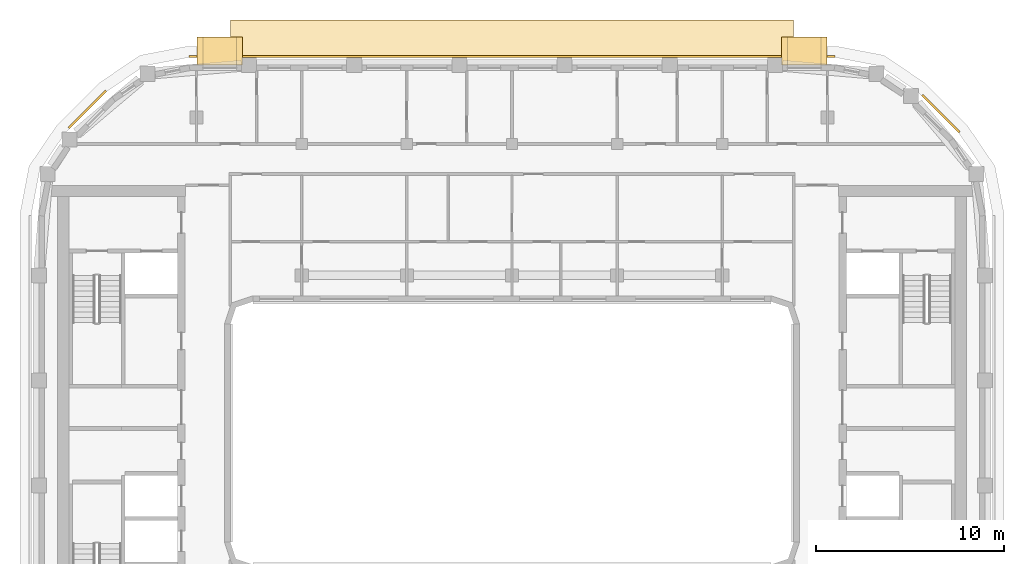
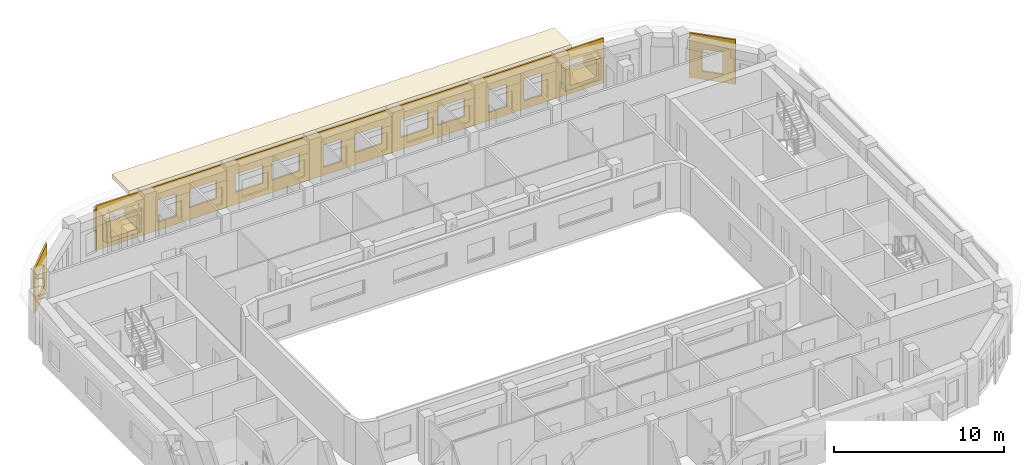
# One storey, part 16 of 16: 8 coverings.
"""IFC4 building model written with IfcOpenShell, lengths in metres."""

import ifcopenshell
import ifcopenshell.guid

model = None  # the IFC model being written
_history = None  # IfcOwnerHistory: only IFC2X3 demands one
_inside = {}  # id of a spatial element -> (the spatial element, [elements in it])
_under = {}  # id of a project, library or spatial element -> (it, [spatial elements below it])
_declared = {}  # id of a project -> (the project, [libraries it declares])
_typed = {}  # id of a type object -> (the type object, [elements of that type])
_made_of = {}  # id of a material, layer set ... -> (it, [elements and type objects made of it])


def new_model(schema):
    """Start an empty IFC model of exactly this schema.

    Asked for "IFC4X3", IfcOpenShell would pick the latest addendum, in which some entities
    have other attributes; the version numbers below select the first issue.
    IFC2X3 requires an IfcOwnerHistory on every rooted entity: one is made here for all.
    """
    global model, _history
    if schema == "IFC4X3":
        model = ifcopenshell.file(schema_version=(4, 3, 0, 0))
    else:
        model = ifcopenshell.file(schema=schema)
    _inside.clear()
    _under.clear()
    _declared.clear()
    _typed.clear()
    _made_of.clear()
    _history = None
    if model.schema == "IFC2X3":
        org = make("IfcOrganization", Name="unknown")
        user = make(
            "IfcPersonAndOrganization",
            ThePerson=make("IfcPerson", FamilyName="unknown"),
            TheOrganization=org,
        )
        app = make(
            "IfcApplication",
            ApplicationDeveloper=org,
            Version="unknown",
            ApplicationFullName="unknown",
            ApplicationIdentifier="unknown",
        )
        _history = make(
            "IfcOwnerHistory",
            OwningUser=user,
            OwningApplication=app,
            ChangeAction="ADDED",
            CreationDate=0,
        )
    return model


def make(cls, **values):
    """One entity of the class cls with the attributes given. An attribute that is None is left unset."""
    return model.create_entity(
        cls, **{name: value for name, value in values.items() if value is not None}
    )


def rooted(cls, **values):
    """An entity with a GlobalId (a new one), such as an element, a storey or a relation."""
    return make(cls, GlobalId=ifcopenshell.guid.new(), OwnerHistory=_history, **values)


def si_unit(unit_type, name, prefix=None):
    """IfcSIUnit, for example si_unit("LENGTHUNIT", "METRE", prefix="MILLI")."""
    return make("IfcSIUnit", UnitType=unit_type, Prefix=prefix, Name=name)


def assignment(units):
    """IfcUnitAssignment: the units of a project."""
    return None if units is None else make("IfcUnitAssignment", Units=units)


def point(xyz):
    """IfcCartesianPoint."""
    return None if xyz is None else make("IfcCartesianPoint", Coordinates=xyz)


def direction(xyz):
    """IfcDirection."""
    return None if xyz is None else make("IfcDirection", DirectionRatios=xyz)


def frame(location, z_axis=None, x_axis=None):
    """IfcAxis2Placement3D, a coordinate frame: its origin and axes. An axis left out is left unset."""
    return make(
        "IfcAxis2Placement3D",
        Location=point(location),
        Axis=direction(z_axis),
        RefDirection=direction(x_axis),
    )


def frame_2d(location, x_axis=None):
    """IfcAxis2Placement2D, a coordinate frame in the plane: its origin and x axis."""
    return make(
        "IfcAxis2Placement2D", Location=point(location), RefDirection=direction(x_axis)
    )


def origin():
    """The frame at (0, 0, 0) with its axes left unset."""
    return frame((0.0, 0.0, 0.0))


def origin_2d():
    """The frame at (0, 0) in the plane with its x axis left unset."""
    return frame_2d((0.0, 0.0))


def place(relative_to, where):
    """IfcLocalPlacement: puts the frame where relative to a parent placement (None: the world)."""
    return make(
        "IfcLocalPlacement", PlacementRelTo=relative_to, RelativePlacement=where
    )


def context(
    kind, dimensions, precision=None, world=None, true_north=None, identifier=None
):
    """IfcGeometricRepresentationContext, for example the 3D "Model" context."""
    return make(
        "IfcGeometricRepresentationContext",
        ContextIdentifier=identifier,
        ContextType=kind,
        CoordinateSpaceDimension=dimensions,
        Precision=precision,
        WorldCoordinateSystem=world,
        TrueNorth=true_north,
    )


def subcontext(parent, identifier, kind, view, scale=None):
    """IfcGeometricRepresentationSubContext, for example "Body" below "Model"."""
    return make(
        "IfcGeometricRepresentationSubContext",
        ContextIdentifier=identifier,
        ContextType=kind,
        ParentContext=parent,
        TargetScale=scale,
        TargetView=view,
    )


def project(units=None, contexts=None):
    """IfcProject with its units and contexts."""
    return rooted(
        "IfcProject",
        Name="project",
        RepresentationContexts=contexts,
        UnitsInContext=assignment(units),
    )


def spatial(cls, under=None, at=None, **own):
    """A site, building, storey or space (cls), placed at a placement, below another one or the project."""
    s = rooted(cls, ObjectPlacement=at, **own)
    if under is not None:
        _under.setdefault(under.id(), (under, []))[1].append(s)
    return s


def polyline(points):
    """IfcPolyline through the points."""
    return make("IfcPolyline", Points=[point(p) for p in points])


def profile(cls, at=None, kind="AREA", **sizes):
    """A parametric profile (cls). Its sizes go by their IFC names, for example OverallWidth=200.0."""
    return make(cls, ProfileType=kind, Position=at, **sizes)


def rectangle(**sizes):
    """IfcRectangleProfileDef."""
    return profile("IfcRectangleProfileDef", **sizes)


def outline(outer, holes=None, kind="AREA"):
    """IfcArbitraryClosedProfileDef: a profile drawn as a closed curve; with holes, ...WithVoids."""
    if holes is None:
        return make("IfcArbitraryClosedProfileDef", ProfileType=kind, OuterCurve=outer)
    return make(
        "IfcArbitraryProfileDefWithVoids",
        ProfileType=kind,
        OuterCurve=outer,
        InnerCurves=holes,
    )


def extrude(swept, where, along, depth):
    """IfcExtrudedAreaSolid: the profile swept, set in the frame where, extruded along a direction by depth."""
    return make(
        "IfcExtrudedAreaSolid",
        SweptArea=swept,
        Position=where,
        ExtrudedDirection=direction(along),
        Depth=depth,
    )


def shape(context_of_items, identifier, shape_type, items):
    """IfcShapeRepresentation: the items that make up one representation, for example the "Body"."""
    return make(
        "IfcShapeRepresentation",
        ContextOfItems=context_of_items,
        RepresentationIdentifier=identifier,
        RepresentationType=shape_type,
        Items=items,
    )


def material(Name=None, Category=None):
    """IfcMaterial."""
    return make("IfcMaterial", Name=Name, Category=Category)


def layer(
    of_material, thickness, ventilated=None, Name=None, Category=None, Priority=None
):
    """IfcMaterialLayer: one layer of a wall or slab, of a material (None: an air gap)."""
    return make(
        "IfcMaterialLayer",
        Material=of_material,
        LayerThickness=thickness,
        IsVentilated=ventilated,
        Name=Name,
        Category=Category,
        Priority=Priority,
    )


def layer_set(layers, Name=None):
    """IfcMaterialLayerSet."""
    return make("IfcMaterialLayerSet", MaterialLayers=layers, LayerSetName=Name)


def made_of(thing, what):
    """Note that an element or type object is made of a material, layer set ...; save() writes the relation."""
    if what is not None:
        _made_of.setdefault(what.id(), (what, []))[1].append(thing)
    return thing


def type_object(cls, material=None, **own):
    """A type object (cls), such as IfcWallType, which elements share."""
    return made_of(rooted(cls, **own), material)


def element(
    cls,
    number,
    at=None,
    inside=None,
    cuts=None,
    type_object=None,
    material=None,
    context=None,
    identifier="Body",
    shape_type=None,
    held_by="IfcProductDefinitionShape",
    body=None,
    shapes=None,
    **own,
):
    """One element of the class cls, such as IfcWall. Its Tag is "e" and its number.

    at: its placement. inside: the storey or other place that contains it. cuts: it is an
    opening in that element (IfcRelVoidsElement). A single representation is given by context,
    identifier, shape_type and body (its items); several are given by shapes. held_by: the class
    of the entity that holds the representations. save() writes the other relations.
    """
    e = rooted(cls, Tag="e%d" % number, ObjectPlacement=at, **own)
    if body is not None:
        shapes = [shape(context, identifier, shape_type, body)]
    if shapes is not None:
        e.Representation = make(held_by, Representations=shapes)
    if inside is not None:
        _inside.setdefault(inside.id(), (inside, []))[1].append(e)
    if cuts is not None:
        rooted(
            "IfcRelVoidsElement", RelatingBuildingElement=cuts, RelatedOpeningElement=e
        )
    if type_object is not None:
        _typed.setdefault(type_object.id(), (type_object, []))[1].append(e)
    return made_of(e, material)


def aggregate(whole, parts):
    """IfcRelAggregates: a whole, such as a stair, and the parts it consists of."""
    return rooted("IfcRelAggregates", RelatingObject=whole, RelatedObjects=parts)


def save(model, path):
    """Write the relations noted so far, then the file.

    IfcRelAggregates (storeys below a building ...), IfcRelContainedInSpatialStructure (elements
    in a storey), IfcRelDefinesByType, IfcRelAssociatesMaterial and IfcRelDeclares: one each for
    every whole, place, type object, material and project.
    """
    for whole, parts in _under.values():
        aggregate(whole, parts)
    for where, things in _inside.values():
        rooted(
            "IfcRelContainedInSpatialStructure",
            RelatedElements=things,
            RelatingStructure=where,
        )
    for kind, things in _typed.values():
        rooted("IfcRelDefinesByType", RelatedObjects=things, RelatingType=kind)
    for what, things in _made_of.values():
        rooted("IfcRelAssociatesMaterial", RelatedObjects=things, RelatingMaterial=what)
    for by, libraries in _declared.values():
        rooted("IfcRelDeclares", RelatingContext=by, RelatedDefinitions=libraries)
    model.write(path)


model = new_model("IFC4")

# Units and contexts
model_context = context("Model", 3, precision=1e-05, world=origin(), true_north=direction((0.0, 1.0)))
body_context = subcontext(model_context, "Body", "Model", "MODEL_VIEW")
ifc_project = project(units=[si_unit("LENGTHUNIT", "METRE"), si_unit("AREAUNIT", "SQUARE_METRE"), si_unit("VOLUMEUNIT", "CUBIC_METRE"), si_unit("PLANEANGLEUNIT", "RADIAN"), si_unit("MASSUNIT", "GRAM", prefix="KILO")], contexts=[model_context])

# Site, building, storey
site_placement = place(None, origin())
site = spatial("IfcSite", under=ifc_project, at=site_placement, CompositionType="ELEMENT")
building_placement = place(site_placement, origin())
building = spatial("IfcBuilding", under=site, at=building_placement, Name="Kiln Ring Residences", CompositionType="ELEMENT")
storey_placement = place(building_placement, frame((0.0, 0.0, 259.199951171875)))
storey = spatial("IfcBuildingStorey", under=building, at=storey_placement, Name="L67", CompositionType="ELEMENT", Elevation=259.199951171875)

# Coverings
ifc_material_1 = material(Name="Brick masonry, dark clay brick", Category="masonry")
ifc_layer_1 = layer(ifc_material_1, 0.300048828125)
ifc_layer_set_1 = layer_set([ifc_layer_1], Name="FRAME CHEEKS AND SILL 1500")
covering_type_1 = type_object("IfcCoveringType", Name="FRAME CHEEKS AND SILL 1500", PredefinedType="CLADDING", material=ifc_layer_set_1)
for number, where, z_axis, x_axis, name in (
    (1, (16.762451171875, 20.35009765625, 0.60009765625), (0.0, 0.0, 1.0), (-1.0, 0.0, 0.0), "FRAME L67"),
    (2, (-14.362548828125, 20.35009765625, 0.60009765625), (0.0, 0.0, 1.0), (-1.0, 0.0, 0.0), "FRAME L67"),
):
    element("IfcCovering", number, at=place(storey_placement, frame(where, z_axis=z_axis, x_axis=x_axis)), inside=storey, type_object=covering_type_1, Name=name, PredefinedType="CLADDING", context=body_context, shape_type="SweptSolid", body=[
        extrude(outline(polyline([(0.0, 0.0), (2.39990234375, 0.0), (2.39990234375, 1.550048828125), (2.10107421875, 1.550048828125), (2.10009765625, 0.300048828125), (0.300048828125, 0.300048828125), (0.299072265625, 1.550048828125), (0.0, 1.550048828125), (0.0, 0.0)])), frame((0.0, 0.75, 0.0), z_axis=(0.0, -1.0, 0.0), x_axis=(1.0, 0.0, 0.0)), (0.0, 0.0, 1.0), 1.5),
    ])
ifc_material_2 = material(Name="Brick masonry, dark clay brick", Category="masonry")
ifc_layer_2 = layer(ifc_material_2, 0.199951171875)
ifc_layer_set_2 = layer_set([ifc_layer_2], Name="FRAME HEAD 1500")
covering_type_2 = type_object("IfcCoveringType", Name="FRAME HEAD 1500", PredefinedType="CLADDING", material=ifc_layer_set_2)
for number, where, z_axis, x_axis, name in (
    (3, (15.5625, 20.35009765625, 2.14990234375), (0.0, 0.0, 1.0), (-1.0, 0.0, 0.0), "FRAME HEAD L67"),
    (4, (-15.5625, 20.35009765625, 2.14990234375), (0.0, 0.0, 1.0), (-1.0, 0.0, 0.0), "FRAME HEAD L67"),
):
    element("IfcCovering", number, at=place(storey_placement, frame(where, z_axis=z_axis, x_axis=x_axis)), inside=storey, type_object=covering_type_2, Name=name, PredefinedType="CLADDING", context=body_context, shape_type="SweptSolid", body=[
        extrude(rectangle(XDim=2.39990234375, YDim=1.5, at=origin_2d()), origin(), (0.0, 0.0, 1.0), 0.199951171875),
    ])
ifc_material_3 = material(Name="Brick masonry, dark clay brick", Category="masonry")
ifc_layer_3 = layer(ifc_material_3, 0.1201171875)
ifc_layer_set_3 = layer_set([ifc_layer_3], Name="RAINSCREEN PANEL 120")
covering_type_3 = type_object("IfcCoveringType", Name="RAINSCREEN PANEL 120", PredefinedType="CLADDING", material=ifc_layer_set_3)
covering_1_placement = place(storey_placement, frame((23.828125, 16.022216796875, 0.0), z_axis=(0.0, 0.0, 1.0), x_axis=(-0.707063182409, 0.707150377276, 0.0)))
element("IfcCovering", 5, at=covering_1_placement, inside=storey, type_object=covering_type_3, Name="RAINSCREEN L67", PredefinedType="CLADDING", context=body_context, shape_type="SweptSolid", body=[
    extrude(outline(polyline([(0.0, 0.0), (2.800048828125, 0.0), (2.800048828125, 3.199951171875), (0.0, 3.199951171875), (0.0, 0.0)]), holes=[polyline([(0.780029296875, 2.170166015625), (0.780029296875, 0.580078125), (2.02001953125, 0.580078125), (2.02001953125, 2.170166015625), (0.780029296875, 2.170166015625)])]), frame((0.0, 0.06005859375, 0.0), z_axis=(0.0, -1.0, 0.0), x_axis=(1.0, 0.0, 0.0)), (0.0, 0.0, 1.0), 0.1201171875),
])
covering_2_placement = place(storey_placement, frame((17.199951171875, 20.06005859375, 0.0), z_axis=(0.0, 0.0, 1.0), x_axis=(-1.0, 0.0, 0.0)))
element("IfcCovering", 6, at=covering_2_placement, inside=storey, type_object=covering_type_3, Name="RAINSCREEN L67", PredefinedType="CLADDING", context=body_context, shape_type="SweptSolid", body=[
    extrude(outline(polyline([(0.0, 0.0), (34.39990234375, 0.0), (34.39990234375, 3.199951171875), (0.0, 3.199951171875), (0.0, 0.0)]), holes=[polyline([(4.179931640625, 0.580078125), (5.419921875, 0.580078125), (5.419921875, 2.170166015625), (4.179931640625, 2.170166015625), (4.179931640625, 0.580078125)]), polyline([(6.580078125, 2.170166015625), (6.580078125, 0.580078125), (7.820068359375, 0.580078125), (7.820068359375, 2.170166015625), (6.580078125, 2.170166015625)]), polyline([(0.41748046875, 2.3701171875), (0.41748046875, 0.580078125), (2.857421875, 0.580078125), (2.857421875, 2.3701171875), (0.41748046875, 2.3701171875)]), polyline([(9.4423828125, 0.880126953125), (11.282470703125, 0.880126953125), (11.282470703125, 2.170166015625), (9.4423828125, 2.170166015625), (9.4423828125, 0.880126953125)]), polyline([(11.91748046875, 2.170166015625), (11.91748046875, 0.880126953125), (13.757568359375, 0.880126953125), (13.757568359375, 2.170166015625), (11.91748046875, 2.170166015625)]), polyline([(15.04248046875, 2.170166015625), (15.04248046875, 0.880126953125), (16.882568359375, 0.880126953125), (16.882568359375, 2.170166015625), (15.04248046875, 2.170166015625)]), polyline([(17.780029296875, 0.580078125), (19.02001953125, 0.580078125), (19.02001953125, 2.170166015625), (17.780029296875, 2.170166015625), (17.780029296875, 0.580078125)]), polyline([(28.97998046875, 2.170166015625), (28.97998046875, 0.580078125), (30.219970703125, 0.580078125), (30.219970703125, 2.170166015625), (28.97998046875, 2.170166015625)]), polyline([(31.54248046875, 2.3701171875), (31.54248046875, 0.580078125), (33.982421875, 0.580078125), (33.982421875, 2.3701171875), (31.54248046875, 2.3701171875)]), polyline([(20.642578125, 0.880126953125), (22.482421875, 0.880126953125), (22.482421875, 2.170166015625), (20.642578125, 2.170166015625), (20.642578125, 0.880126953125)]), polyline([(23.117431640625, 2.170166015625), (23.117431640625, 0.880126953125), (24.95751953125, 0.880126953125), (24.95751953125, 2.170166015625), (23.117431640625, 2.170166015625)]), polyline([(26.242431640625, 2.170166015625), (26.242431640625, 0.880126953125), (28.08251953125, 0.880126953125), (28.08251953125, 2.170166015625), (26.242431640625, 2.170166015625)])]), frame((0.0, 0.06005859375, 0.0), z_axis=(0.0, -1.0, 0.0), x_axis=(1.0, 0.0, 0.0)), (0.0, 0.0, 1.0), 0.1201171875),
])
covering_3_placement = place(storey_placement, frame((-21.622314453125, 18.228271484375, 0.0), z_axis=(0.0, 0.0, 1.0), x_axis=(-0.707106781187, -0.707106781187, 0.0)))
element("IfcCovering", 7, at=covering_3_placement, inside=storey, type_object=covering_type_3, Name="RAINSCREEN L67", PredefinedType="CLADDING", context=body_context, shape_type="SweptSolid", body=[
    extrude(outline(polyline([(0.0, 0.0), (2.800048828125, 0.0), (2.800048828125, 3.199951171875), (0.0, 3.199951171875), (0.0, 0.0)]), holes=[polyline([(0.780029296875, 2.170166015625), (0.780029296875, 0.580078125), (2.02001953125, 0.580078125), (2.02001953125, 2.170166015625), (0.780029296875, 2.170166015625)])]), frame((0.0, 0.06005859375, 0.0), z_axis=(0.0, -1.0, 0.0), x_axis=(1.0, 0.0, 0.0)), (0.0, 0.0, 1.0), 0.1201171875),
])
ifc_material_4 = material(Name="Black powder-coated steel", Category="steel")
ifc_layer_4 = layer(ifc_material_4, 0.300048828125)
ifc_layer_set_4 = layer_set([ifc_layer_4], Name="SUNSHADE BAND 2000")
covering_type_4 = type_object("IfcCoveringType", Name="SUNSHADE BAND 2000", PredefinedType="CLADDING", material=ifc_layer_set_4)
covering_4_placement = place(storey_placement, frame((0.0, 0.0, 3.199951171875)))
element("IfcCovering", 8, at=covering_4_placement, inside=storey, type_object=covering_type_4, Name="SUNSHADE BAND L67", PredefinedType="CLADDING", context=body_context, shape_type="SweptSolid", body=[
    extrude(outline(polyline([(15.0, 22.0), (-15.0, 22.0), (-15.0, 20.0), (15.0, 20.0), (15.0, 22.0)])), origin(), (0.0, 0.0, 1.0), 0.300048828125),
])

save(model, "model.ifc")
